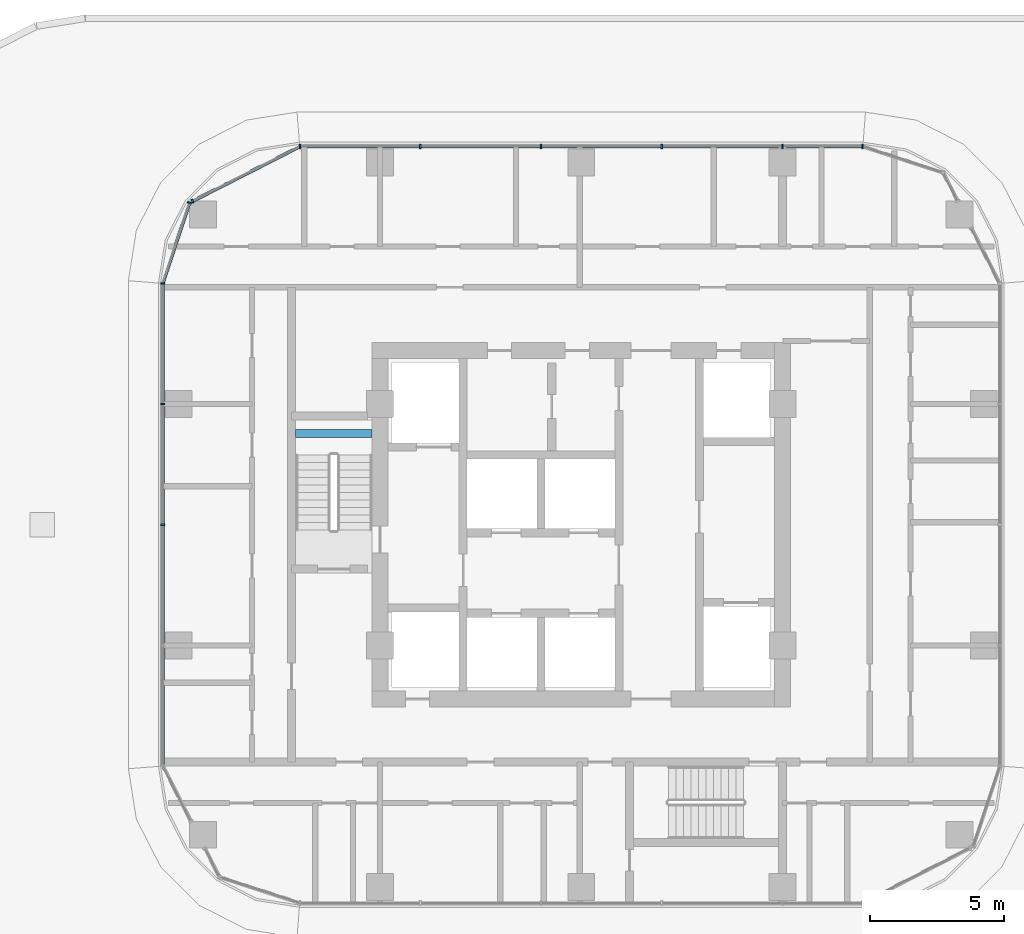
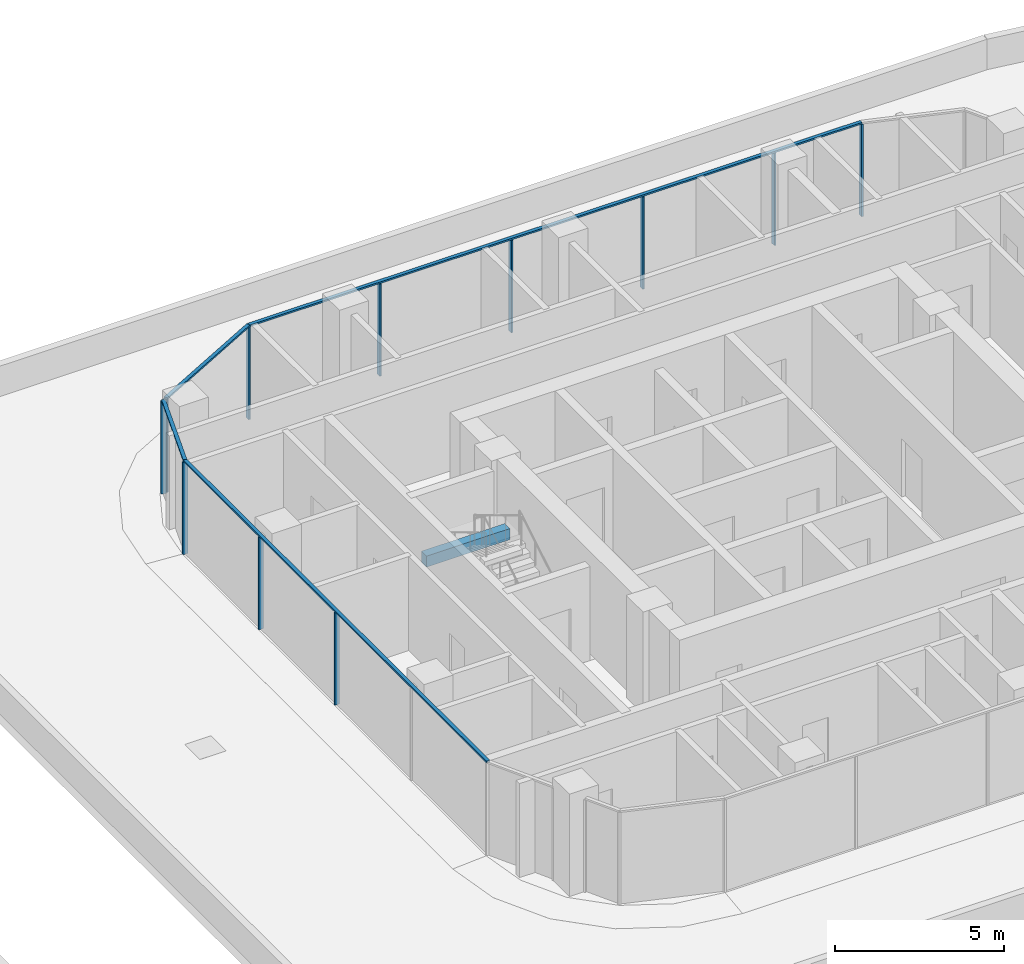
# One storey, part 8 of 51: 15 members, 1 beam, 4 elements without a shape of their own.
"""IFC4 building model written with IfcOpenShell, lengths in metres."""

from ifc_helpers import new_model, si_unit, direction, frame, origin, origin_2d, place, context, subcontext, project, spatial, rectangle, extrude, material, material_profile, profile_set, type_object, element, aggregate, save


model = new_model("IFC4")

# Units and contexts
model_context = context("Model", 3, precision=1e-05, world=origin(), true_north=direction((0.0, 1.0)))
body_context = subcontext(model_context, "Body", "Model", "MODEL_VIEW")
ifc_project = project(units=[si_unit("LENGTHUNIT", "METRE"), si_unit("AREAUNIT", "SQUARE_METRE"), si_unit("VOLUMEUNIT", "CUBIC_METRE"), si_unit("PLANEANGLEUNIT", "RADIAN"), si_unit("MASSUNIT", "GRAM", prefix="KILO")], contexts=[model_context])

# Site, building, storey
site_placement = place(None, origin())
site = spatial("IfcSite", under=ifc_project, at=site_placement, CompositionType="ELEMENT")
building_placement = place(site_placement, origin())
building = spatial("IfcBuilding", under=site, at=building_placement, Name="Ogive Portal Towers", CompositionType="ELEMENT")
storey_placement = place(building_placement, frame((0.0, 0.0, 33.5)))
storey = spatial("IfcBuildingStorey", under=building, at=storey_placement, Name="L06", CompositionType="ELEMENT", Elevation=33.5)

# Beam
ifc_material_1 = material(Name="Concrete C40/50", Category="concrete")
ifc_material_profile_1 = material_profile(ifc_material_1, rectangle(XDim=0.300048828125, YDim=0.39990234375, at=origin_2d()), Name="RC 300x400")
ifc_profile_set_1 = profile_set([ifc_material_profile_1], Name="Concrete C40/50")
beam_type = type_object("IfcBeamType", Name="BEAM RC 300x400", PredefinedType="BEAM", material=ifc_profile_set_1)
beam_placement = place(storey_placement, frame((125.85009765625, 34.39990234375, 1.449951171875), z_axis=(1.0, 0.0, 0.0), x_axis=(0.0, 1.0, 0.0)))
element("IfcBeam", 1, at=beam_placement, inside=storey, type_object=beam_type, Name="Landing beam L06", PredefinedType="BEAM", context=body_context, shape_type="SweptSolid", body=[
    extrude(rectangle(XDim=0.300048828125, YDim=0.39990234375, at=origin_2d()), origin(), (0.0, 0.0, 1.0), 2.849853515625),
])

# Curtain wall, members
ifc_material_2 = material(Name="Glass, clear low-iron insulated glazing", Category="glass")
curtain_wall_type = type_object("IfcCurtainWallType", Name="CW RESIDENCES RIBBON", PredefinedType="NOTDEFINED", material=ifc_material_2)
curtain_wall_1_placement = place(storey_placement, origin())
curtain_wall_1 = element("IfcCurtainWall", 2, at=curtain_wall_1_placement, inside=storey, type_object=curtain_wall_type, Name="B:L06:f08:cw0", PredefinedType="NOTDEFINED")
ifc_material_3 = material(Name="Aluminium 6063 anodised", Category="aluminium")
ifc_material_profile_2 = material_profile(ifc_material_3, rectangle(XDim=0.159912109375, YDim=0.06005859375, at=origin_2d()), Name="AL 60x160")
ifc_profile_set_2 = profile_set([ifc_material_profile_2], Name="Aluminium 6063 anodised")
member_type_1 = type_object("IfcMemberType", Name="CW MULLION 60x160", PredefinedType="MULLION", material=ifc_profile_set_2)
member_1_placement = place(storey_placement, frame((146.9873046875, 45.10009765625, 0.0), z_axis=(0.0, 0.0, 1.0), x_axis=(0.0, -1.0, 0.0)))
member_1 = element("IfcMember", 3, at=member_1_placement, type_object=member_type_1, Name="mullion", PredefinedType="MULLION", context=body_context, shape_type="SweptSolid", body=[
    extrude(rectangle(XDim=0.159912109375, YDim=0.06005859375, at=origin_2d()), origin(), (0.0, 0.0, 1.0), 3.340087890625),
])
member_2_placement = place(storey_placement, frame((144.0, 45.10009765625, 0.0), z_axis=(0.0, 0.0, 1.0), x_axis=(0.0, -1.0, 0.0)))
member_2 = element("IfcMember", 4, at=member_2_placement, type_object=member_type_1, Name="mullion", PredefinedType="MULLION", context=body_context, shape_type="SweptSolid", body=[
    extrude(rectangle(XDim=0.159912109375, YDim=0.06005859375, at=origin_2d()), origin(), (0.0, 0.0, 1.0), 3.340087890625),
])
member_3_placement = place(storey_placement, frame((139.5, 45.10009765625, 0.0), z_axis=(0.0, 0.0, 1.0), x_axis=(0.0, -1.0, 0.0)))
member_3 = element("IfcMember", 5, at=member_3_placement, type_object=member_type_1, Name="mullion", PredefinedType="MULLION", context=body_context, shape_type="SweptSolid", body=[
    extrude(rectangle(XDim=0.159912109375, YDim=0.06005859375, at=origin_2d()), origin(), (0.0, 0.0, 1.0), 3.340087890625),
])
member_4_placement = place(storey_placement, frame((135.0, 45.10009765625, 0.0), z_axis=(0.0, 0.0, 1.0), x_axis=(0.0, -1.0, 0.0)))
member_4 = element("IfcMember", 6, at=member_4_placement, type_object=member_type_1, Name="mullion", PredefinedType="MULLION", context=body_context, shape_type="SweptSolid", body=[
    extrude(rectangle(XDim=0.159912109375, YDim=0.06005859375, at=origin_2d()), origin(), (0.0, 0.0, 1.0), 3.340087890625),
])
member_5_placement = place(storey_placement, frame((130.5, 45.10009765625, 0.0), z_axis=(0.0, 0.0, 1.0), x_axis=(0.0, -1.0, 0.0)))
member_5 = element("IfcMember", 7, at=member_5_placement, type_object=member_type_1, Name="mullion", PredefinedType="MULLION", context=body_context, shape_type="SweptSolid", body=[
    extrude(rectangle(XDim=0.159912109375, YDim=0.06005859375, at=origin_2d()), origin(), (0.0, 0.0, 1.0), 3.340087890625),
])
member_6_placement = place(storey_placement, frame((126.019287109375, 45.10009765625, 0.0), z_axis=(0.0, 0.0, 1.0), x_axis=(0.0, -1.0, 0.0)))
member_6 = element("IfcMember", 8, at=member_6_placement, type_object=member_type_1, Name="mullion", PredefinedType="MULLION", context=body_context, shape_type="SweptSolid", body=[
    extrude(rectangle(XDim=0.159912109375, YDim=0.06005859375, at=origin_2d()), origin(), (0.0, 0.0, 1.0), 3.340087890625),
])

curtain_wall_2_placement = place(storey_placement, origin())
curtain_wall_2 = element("IfcCurtainWall", 9, at=curtain_wall_2_placement, inside=storey, type_object=curtain_wall_type, Name="B:L06:f11:cw0", PredefinedType="NOTDEFINED")
member_7_placement = place(storey_placement, frame((120.89990234375, 39.9873046875, 0.0), z_axis=(0.0, 0.0, 1.0), x_axis=(1.0, 0.0, 0.0)))
member_7 = element("IfcMember", 10, at=member_7_placement, type_object=member_type_1, Name="mullion", PredefinedType="MULLION", context=body_context, shape_type="SweptSolid", body=[
    extrude(rectangle(XDim=0.159912109375, YDim=0.06005859375, at=origin_2d()), origin(), (0.0, 0.0, 1.0), 3.340087890625),
])
member_8_placement = place(storey_placement, frame((120.89990234375, 35.5, 0.0), z_axis=(0.0, 0.0, 1.0), x_axis=(1.0, 0.0, 0.0)))
member_8 = element("IfcMember", 11, at=member_8_placement, type_object=member_type_1, Name="mullion", PredefinedType="MULLION", context=body_context, shape_type="SweptSolid", body=[
    extrude(rectangle(XDim=0.159912109375, YDim=0.06005859375, at=origin_2d()), origin(), (0.0, 0.0, 1.0), 3.340087890625),
])
member_9_placement = place(storey_placement, frame((120.89990234375, 31.0, 0.0), z_axis=(0.0, 0.0, 1.0), x_axis=(1.0, 0.0, 0.0)))
member_9 = element("IfcMember", 12, at=member_9_placement, type_object=member_type_1, Name="mullion", PredefinedType="MULLION", context=body_context, shape_type="SweptSolid", body=[
    extrude(rectangle(XDim=0.159912109375, YDim=0.06005859375, at=origin_2d()), origin(), (0.0, 0.0, 1.0), 3.340087890625),
])

# Curtain wall, member
curtain_wall_3_placement = place(storey_placement, origin())
curtain_wall_3 = element("IfcCurtainWall", 13, at=curtain_wall_3_placement, inside=storey, type_object=curtain_wall_type, Name="B:L06:f09:cwa~0", PredefinedType="NOTDEFINED")
member_10_placement = place(storey_placement, frame((122.011474609375, 43.05810546875, 0.0), z_axis=(0.0, 0.0, 1.0), x_axis=(0.45399049974, -0.891006524188, 0.0)))
member_10 = element("IfcMember", 14, at=member_10_placement, type_object=member_type_1, Name="mullion", PredefinedType="MULLION", context=body_context, shape_type="SweptSolid", body=[
    extrude(rectangle(XDim=0.159912109375, YDim=0.06005859375, at=origin_2d()), origin(), (0.0, 0.0, 1.0), 3.340087890625),
])

curtain_wall_4_placement = place(storey_placement, origin())
curtain_wall_4 = element("IfcCurtainWall", 15, at=curtain_wall_4_placement, inside=storey, type_object=curtain_wall_type, Name="B:L06:f09:cwa~1", PredefinedType="NOTDEFINED")
member_11_placement = place(storey_placement, frame((121.90087890625, 43.001708984375, 0.0), z_axis=(0.0, 0.0, 1.0), x_axis=(0.949039718769, -0.315156488428, 0.0)))
member_11 = element("IfcMember", 16, at=member_11_placement, type_object=member_type_1, Name="mullion", PredefinedType="MULLION", context=body_context, shape_type="SweptSolid", body=[
    extrude(rectangle(XDim=0.159912109375, YDim=0.06005859375, at=origin_2d()), origin(), (0.0, 0.0, 1.0), 3.340087890625),
])

# Member
ifc_material_profile_3 = material_profile(ifc_material_3, rectangle(XDim=0.1201171875, YDim=0.06005859375, at=origin_2d()), Name="AL 120x60")
ifc_profile_set_3 = profile_set([ifc_material_profile_3], Name="Aluminium 6063 anodised")
member_type_2 = type_object("IfcMemberType", Name="CW TRANSOM 60x120", PredefinedType="USERDEFINED", material=ifc_profile_set_3)
member_12_placement = place(storey_placement, frame((146.9873046875, 45.10009765625, 3.3701171875), z_axis=(-1.0, 0.0, 0.0), x_axis=(0.0, -1.0, 0.0)))
member_12 = element("IfcMember", 17, at=member_12_placement, type_object=member_type_2, Name="transom", ObjectType="TRANSOM", PredefinedType="USERDEFINED", context=body_context, shape_type="SweptSolid", body=[
    extrude(rectangle(XDim=0.1201171875, YDim=0.06005859375, at=origin_2d()), origin(), (0.0, 0.0, 1.0), 20.968017578125),
])

aggregate(curtain_wall_1, [member_12, member_1, member_2, member_3, member_4, member_5, member_6])

member_13_placement = place(storey_placement, frame((120.89990234375, 39.9873046875, 3.3701171875), z_axis=(0.0, -1.0, 0.0), x_axis=(1.0, 0.0, 0.0)))
member_13 = element("IfcMember", 18, at=member_13_placement, type_object=member_type_2, Name="transom", ObjectType="TRANSOM", PredefinedType="USERDEFINED", context=body_context, shape_type="SweptSolid", body=[
    extrude(rectangle(XDim=0.1201171875, YDim=0.06005859375, at=origin_2d()), origin(), (0.0, 0.0, 1.0), 17.968017578125),
])

aggregate(curtain_wall_2, [member_13, member_7, member_8, member_9])

member_14_placement = place(storey_placement, frame((126.019287109375, 45.10009765625, 3.3701171875), z_axis=(-0.89101464276, -0.453974565792, 0.0), x_axis=(0.453974565792, -0.89101464276, 0.0)))
member_14 = element("IfcMember", 19, at=member_14_placement, type_object=member_type_2, Name="transom", ObjectType="TRANSOM", PredefinedType="USERDEFINED", context=body_context, shape_type="SweptSolid", body=[
    extrude(rectangle(XDim=0.1201171875, YDim=0.06005859375, at=origin_2d()), origin(), (0.0, 0.0, 1.0), 4.498046875),
])

aggregate(curtain_wall_3, [member_14, member_10])

member_15_placement = place(storey_placement, frame((121.90087890625, 43.001708984375, 3.3701171875), z_axis=(-0.315143772541, -0.949043941358, 0.0), x_axis=(0.949043941358, -0.315143772541, 0.0)))
member_15 = element("IfcMember", 20, at=member_15_placement, type_object=member_type_2, Name="transom", ObjectType="TRANSOM", PredefinedType="USERDEFINED", context=body_context, shape_type="SweptSolid", body=[
    extrude(rectangle(XDim=0.1201171875, YDim=0.06005859375, at=origin_2d()), origin(), (0.0, 0.0, 1.0), 3.17626953125),
])

aggregate(curtain_wall_4, [member_15, member_11])

save(model, "model.ifc")
